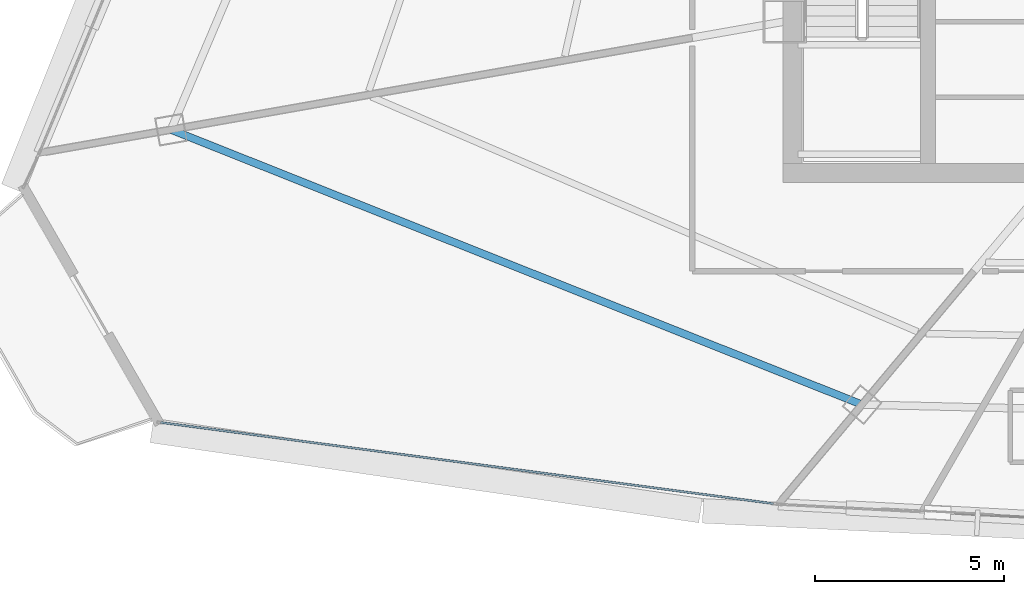
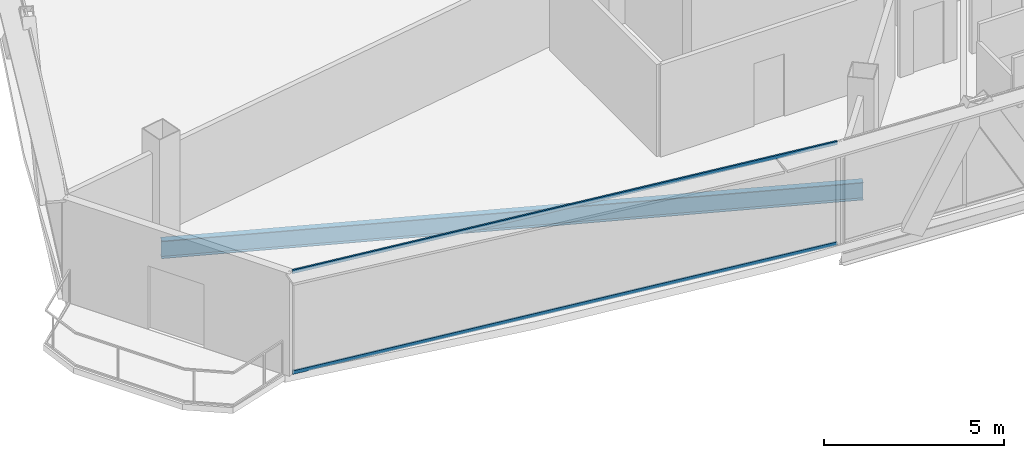
# One storey, part 3 of 37: 2 members, 1 beam, 1 element without a shape of its own.
"""IFC4 building model written with IfcOpenShell, lengths in metres."""

from ifc_helpers import new_model, si_unit, direction, frame, origin, origin_2d, place, context, subcontext, project, spatial, hollow_rectangle, i_section, extrude, source, transform, mapped, material, layer, layer_set, material_profile, profile_set, type_object, element, aggregate, save


model = new_model("IFC4")

# Units and contexts
model_context = context("Model", 3, precision=1e-05, world=origin(), true_north=direction((0.0, 1.0)))
body_context = subcontext(model_context, "Body", "Model", "MODEL_VIEW")
ifc_project = project(units=[si_unit("LENGTHUNIT", "METRE"), si_unit("AREAUNIT", "SQUARE_METRE"), si_unit("VOLUMEUNIT", "CUBIC_METRE"), si_unit("PLANEANGLEUNIT", "RADIAN"), si_unit("MASSUNIT", "GRAM", prefix="KILO"), si_unit("THERMODYNAMICTEMPERATUREUNIT", "KELVIN"), si_unit("POWERUNIT", "WATT")], contexts=[model_context])

# Site, building, storey
site_placement = place(None, origin())
site = spatial("IfcSite", under=ifc_project, at=site_placement, CompositionType="ELEMENT")
building_placement = place(site_placement, origin())
building = spatial("IfcBuilding", under=site, at=building_placement, Name="Yunzhuo Pagoda Commons", CompositionType="ELEMENT")
storey_placement = place(building_placement, frame((0.0, 0.0, 277.56005859375)))
storey = spatial("IfcBuildingStorey", under=building, at=storey_placement, Name="L69", CompositionType="ELEMENT", Elevation=277.56005859375)

# Beam
ifc_material_1 = material(Name="Structural steel Q355B", Category="steel")
ifc_material_profile_1 = material_profile(ifc_material_1, i_section(OverallWidth=0.199951171875, OverallDepth=0.60009765625, WebThickness=0.010986328125, FlangeThickness=0.01708984375, at=origin_2d()), Name="Structural steel Q355B")
ifc_profile_set_1 = profile_set([ifc_material_profile_1], Name="Structural steel Q355B")
beam_type = type_object("IfcBeamType", Name="B-RG3 Beam HN 600x200x11x17", PredefinedType="BEAM", material=ifc_profile_set_1)
shared_shape_1 = source(origin(), body_context, "Body", "SweptSolid", [
    extrude(i_section(OverallWidth=0.199951171875, OverallDepth=0.60009765625, WebThickness=0.010986328125, FlangeThickness=0.01708984375, at=origin_2d()), origin(), (0.0, 0.0, 1.0), 19.70458984375),
])
beam_placement = place(storey_placement, frame((19.33837890625, 28.646240234375, -0.56005859375), z_axis=(0.929153602905, -0.369693903396, 0.0), x_axis=(0.369693903396, 0.929153602905, 0.0)))
element("IfcBeam", 1, at=beam_placement, inside=storey, type_object=beam_type, Name="L69 column-ring beam 12", PredefinedType="BEAM", context=body_context, shape_type="MappedRepresentation", body=[
    mapped(shared_shape_1, transform((0.0, 0.0, 0.0), scale=1.0)),
])

# Curtain wall, members
ifc_material_2 = material(Name="Anodized aluminium 6063-T6", Category="aluminium")
ifc_layer = layer(ifc_material_2, 0.139892578125)
ifc_layer_set = layer_set([ifc_layer], Name="Anodized aluminium 6063-T6")
curtain_wall_type = type_object("IfcCurtainWallType", Name="CW-HI High-Zone Ribbon Curtain Wall", PredefinedType="NOTDEFINED", material=ifc_layer_set)
curtain_wall_placement = place(storey_placement, origin())
curtain_wall = element("IfcCurtainWall", 2, at=curtain_wall_placement, inside=storey, type_object=curtain_wall_type, Name="L69 curtain wall CW-L69-F1B1", PredefinedType="NOTDEFINED")
ifc_material_profile_2 = material_profile(ifc_material_2, hollow_rectangle(XDim=0.054931640625, YDim=0.1201171875, WallThickness=0.00341796875, at=origin_2d()), Name="Anodized aluminium 6063-T6")
ifc_profile_set_2 = profile_set([ifc_material_profile_2], Name="Anodized aluminium 6063-T6")
member_type = type_object("IfcMemberType", Name="CW-HI-T Transom RHS 120x55x3.5", PredefinedType="USERDEFINED", material=ifc_profile_set_2)
shared_shape_2 = source(origin(), body_context, "Body", "SweptSolid", [
    extrude(hollow_rectangle(XDim=0.054931640625, YDim=0.1201171875, WallThickness=0.00341796875, at=origin_2d()), origin(), (0.0, 0.0, 1.0), 16.373779296875),
])
member_1_placement = place(storey_placement, frame((19.065673828125, 20.888916015625, 0.02734375), z_axis=(0.991342383134, -0.131302244471, 0.0), x_axis=(0.131302244471, 0.991342383134, 0.0)))
member_1 = element("IfcMember", 3, at=member_1_placement, type_object=member_type, Name="CW transom 1.1", ObjectType="TRANSOM", PredefinedType="USERDEFINED", context=body_context, shape_type="MappedRepresentation", body=[
    mapped(shared_shape_2, transform((0.0, 0.0, 0.0), scale=1.0)),
])
member_2_placement = place(storey_placement, frame((19.065673828125, 20.888916015625, 3.4423828125), z_axis=(0.991342383134, -0.131302244471, 0.0), x_axis=(0.131302244471, 0.991342383134, 0.0)))
member_2 = element("IfcMember", 4, at=member_2_placement, type_object=member_type, Name="CW transom 1.2", ObjectType="TRANSOM", PredefinedType="USERDEFINED", context=body_context, shape_type="MappedRepresentation", body=[
    mapped(shared_shape_2, transform((0.0, 0.0, 0.0), scale=1.0)),
])
aggregate(curtain_wall, [member_1, member_2])

save(model, "model.ifc")
